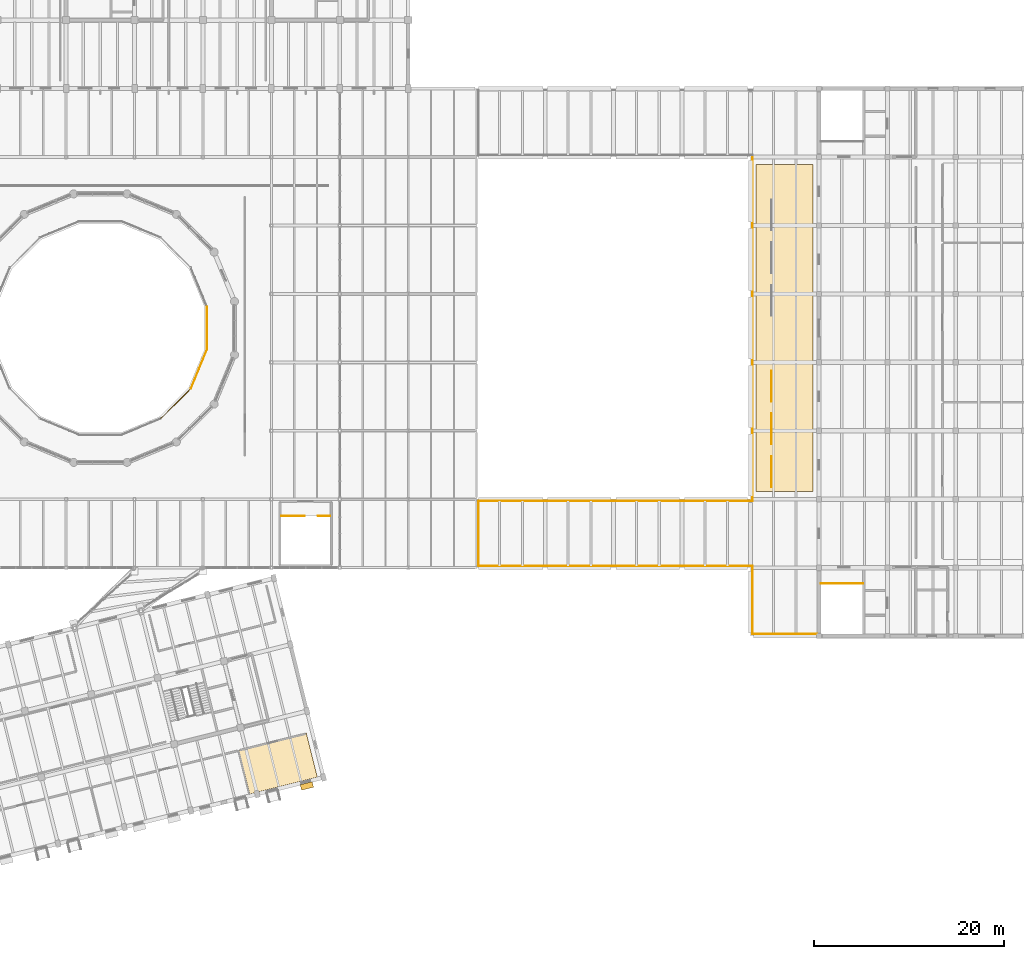
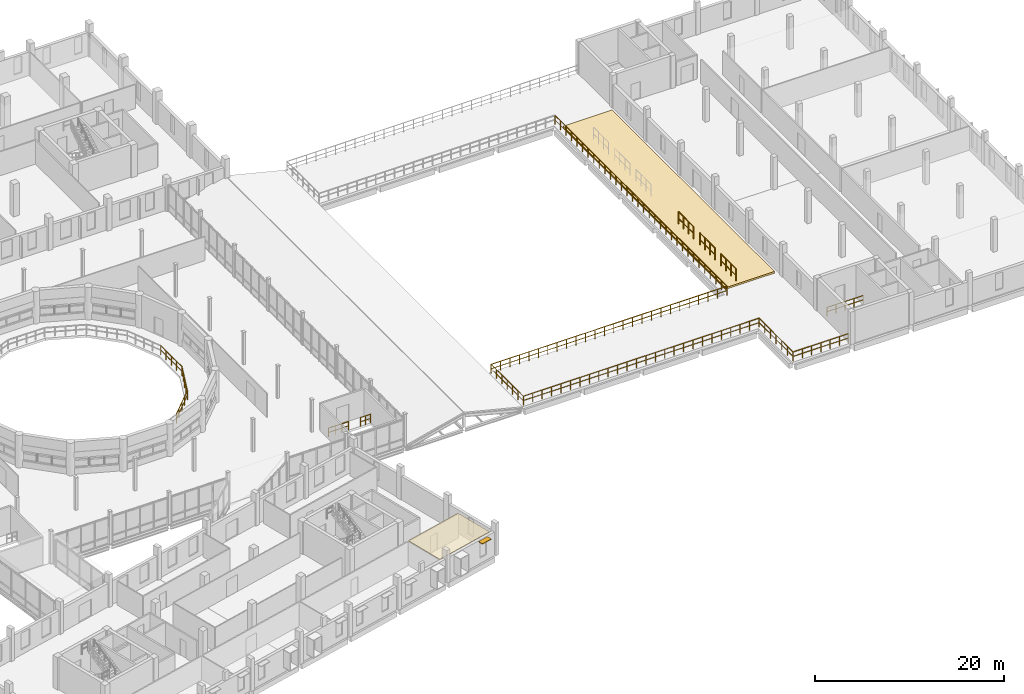
# One storey, part 60 of 63: 15 railings, 2 coverings, 1 shading device.
"""IFC4 building model written with IfcOpenShell, lengths in metres."""

from ifc_helpers import new_model, si_unit, direction, frame, origin, origin_2d, place, context, subcontext, project, spatial, polyline, rectangle, circle, outline, extrude, material, layer, layer_set, material_profile, profile_set, type_object, element, save


model = new_model("IFC4")

# Units and contexts
model_context = context("Model", 3, precision=1e-05, world=origin(), true_north=direction((0.0, 1.0)))
body_context = subcontext(model_context, "Body", "Model", "MODEL_VIEW")
ifc_project = project(units=[si_unit("LENGTHUNIT", "METRE"), si_unit("AREAUNIT", "SQUARE_METRE"), si_unit("VOLUMEUNIT", "CUBIC_METRE"), si_unit("PLANEANGLEUNIT", "RADIAN"), si_unit("MASSUNIT", "GRAM", prefix="KILO")], contexts=[model_context])

# Site, building, storey
site_placement = place(None, origin())
site = spatial("IfcSite", under=ifc_project, at=site_placement, CompositionType="ELEMENT")
building_placement = place(site_placement, origin())
building = spatial("IfcBuilding", under=site, at=building_placement, Name="Qiaolan Assembly House", CompositionType="ELEMENT")
storey_placement = place(building_placement, frame((0.0, 0.0, 14.39990234375)))
storey = spatial("IfcBuildingStorey", under=building, at=storey_placement, Name="L03", CompositionType="ELEMENT", Elevation=14.39990234375)

# Coverings
ifc_material_1 = material(Name="Gypsum plasterboard acoustic ceiling")
ifc_layer_1 = layer(ifc_material_1, 0.044921875)
ifc_layer_set_1 = layer_set([ifc_layer_1], Name="Gypsum plasterboard acoustic ceiling")
covering_type_1 = type_object("IfcCoveringType", Name="COV-CEIL-ACOUSTIC", PredefinedType="CEILING", material=ifc_layer_set_1)
covering_1_placement = place(storey_placement, frame((0.0, 0.0, 3.03515625)))
element("IfcCovering", 1, at=covering_1_placement, inside=storey, type_object=covering_type_1, Name="Suspended ceiling Departmental Server & Comms Closet", PredefinedType="CEILING", context=body_context, shape_type="SweptSolid", body=[
    extrude(outline(polyline([(84.121826171875, 12.18359375), (91.224609375, 13.95458984375), (90.068115234375, 18.592529296875), (82.965576171875, 16.82177734375), (84.121826171875, 12.18359375)])), origin(), (0.0, 0.0, 1.0), 0.044921875),
])
ifc_material_2 = material(Name="Planted green roof medium")
ifc_layer_2 = layer(ifc_material_2, 0.219970703125)
ifc_layer_set_2 = layer_set([ifc_layer_2], Name="Planted green roof medium")
covering_type_2 = type_object("IfcCoveringType", Name="COV-ROOF-GREENBED", PredefinedType="ROOFING", material=ifc_layer_set_2)
covering_2_placement = place(storey_placement, origin())
element("IfcCovering", 2, at=covering_2_placement, inside=storey, type_object=covering_type_2, Name="GRF-01 East Cloister Planted Roof Garden Bed", PredefinedType="ROOFING", context=body_context, shape_type="SweptSolid", body=[
    extrude(outline(polyline([(137.39990234375, 44.0), (143.39990234375, 44.0), (143.39990234375, 78.39990234375), (137.39990234375, 78.39990234375), (137.39990234375, 44.0)])), origin(), (0.0, 0.0, 1.0), 0.22021484375),
])

# Railings
ifc_material_3 = material(Name="Anodised bronze aluminium", Category="aluminium")
railing_type_1 = type_object("IfcRailingType", Name="RAL-GUARD-GALLERY-1200", PredefinedType="BALUSTRADE", material=ifc_material_3)
railing_1_placement = place(storey_placement, frame((74.76123046875, 51.6796875, 0.0)))
element("IfcRailing", 3, at=railing_1_placement, inside=storey, type_object=railing_type_1, Name="GR-02 Council Chamber L03 Clerestory Ring Guard seg 14", PredefinedType="BALUSTRADE", context=body_context, shape_type="SweptSolid", body=[
    extrude(circle(Radius=0.02392578125, at=origin_2d()), frame((0.0, 0.0, 1.17578125), z_axis=(0.707134104233, 0.707079457084, 0.0), x_axis=(-0.707079457084, 0.707134104233, 0.0)), (0.0, 0.0, 1.0), 4.467529296875),
    extrude(circle(Radius=0.01611328125, at=origin_2d()), frame((0.0, 0.0, 0.60009765625), z_axis=(0.707134104233, 0.707079457084, 0.0), x_axis=(-0.707079457084, 0.707134104233, 0.0)), (0.0, 0.0, 1.0), 4.467529296875),
    extrude(circle(Radius=0.02099609375, at=origin_2d()), origin(), (0.0, 0.0, 1.0), 1.15185546875),
    extrude(circle(Radius=0.02099609375, at=origin_2d()), frame((0.789794921875, 0.789794921875, 0.0)), (0.0, 0.0, 1.0), 1.15185546875),
    extrude(circle(Radius=0.02099609375, at=origin_2d()), frame((1.57958984375, 1.57958984375, 0.0)), (0.0, 0.0, 1.0), 1.15185546875),
    extrude(circle(Radius=0.02099609375, at=origin_2d()), frame((2.369384765625, 2.369140625, 0.0)), (0.0, 0.0, 1.0), 1.15185546875),
    extrude(circle(Radius=0.02099609375, at=origin_2d()), frame((3.1591796875, 3.158935546875, 0.0)), (0.0, 0.0, 1.0), 1.15185546875),
])
railing_2_placement = place(storey_placement, frame((77.92041015625, 54.838623046875, 0.0)))
element("IfcRailing", 4, at=railing_2_placement, inside=storey, type_object=railing_type_1, Name="GR-02 Council Chamber L03 Clerestory Ring Guard seg 15", PredefinedType="BALUSTRADE", context=body_context, shape_type="SweptSolid", body=[
    extrude(circle(Radius=0.02392578125, at=origin_2d()), frame((0.0, 0.0, 1.17578125), z_axis=(0.38263171835, 0.923900951462, 0.0), x_axis=(-0.923900951462, 0.38263171835, 0.0)), (0.0, 0.0, 1.0), 4.4677734375),
    extrude(circle(Radius=0.01611328125, at=origin_2d()), frame((0.0, 0.0, 0.60009765625), z_axis=(0.38263171835, 0.923900951462, 0.0), x_axis=(-0.923900951462, 0.38263171835, 0.0)), (0.0, 0.0, 1.0), 4.4677734375),
    extrude(circle(Radius=0.02099609375, at=origin_2d()), origin(), (0.0, 0.0, 1.0), 1.15185546875),
    extrude(circle(Radius=0.02099609375, at=origin_2d()), frame((0.42724609375, 1.031982421875, 0.0)), (0.0, 0.0, 1.0), 1.15185546875),
    extrude(circle(Radius=0.02099609375, at=origin_2d()), frame((0.854736328125, 2.06396484375, 0.0)), (0.0, 0.0, 1.0), 1.15185546875),
    extrude(circle(Radius=0.02099609375, at=origin_2d()), frame((1.2822265625, 3.095703125, 0.0)), (0.0, 0.0, 1.0), 1.15185546875),
    extrude(circle(Radius=0.02099609375, at=origin_2d()), frame((1.70947265625, 4.127685546875, 0.0)), (0.0, 0.0, 1.0), 1.15185546875),
])
railing_3_placement = place(storey_placement, frame((79.6298828125, 58.96630859375, 0.0)))
element("IfcRailing", 5, at=railing_3_placement, inside=storey, type_object=railing_type_1, Name="GR-02 Council Chamber L03 Clerestory Ring Guard seg 16", PredefinedType="BALUSTRADE", context=body_context, shape_type="SweptSolid", body=[
    extrude(circle(Radius=0.02392578125, at=origin_2d()), frame((0.0, 0.0, 1.17578125), z_axis=(0.0, 1.0, 0.0), x_axis=(-1.0, 0.0, 0.0)), (0.0, 0.0, 1.0), 4.467529296875),
    extrude(circle(Radius=0.01611328125, at=origin_2d()), frame((0.0, 0.0, 0.60009765625), z_axis=(0.0, 1.0, 0.0), x_axis=(-1.0, 0.0, 0.0)), (0.0, 0.0, 1.0), 4.467529296875),
    extrude(circle(Radius=0.02099609375, at=origin_2d()), origin(), (0.0, 0.0, 1.0), 1.15185546875),
    extrude(circle(Radius=0.02099609375, at=origin_2d()), frame((0.0, 1.116943359375, 0.0)), (0.0, 0.0, 1.0), 1.15185546875),
    extrude(circle(Radius=0.02099609375, at=origin_2d()), frame((0.0, 2.23388671875, 0.0)), (0.0, 0.0, 1.0), 1.15185546875),
    extrude(circle(Radius=0.02099609375, at=origin_2d()), frame((0.0, 3.3505859375, 0.0)), (0.0, 0.0, 1.0), 1.15185546875),
    extrude(circle(Radius=0.02099609375, at=origin_2d()), frame((0.0, 4.467529296875, 0.0)), (0.0, 0.0, 1.0), 1.15185546875),
])
railing_type_2 = type_object("IfcRailingType", Name="RAL-GUARD-STAIRWELL-1150", PredefinedType="GUARDRAIL", material=ifc_material_3)
railing_4_placement = place(storey_placement, frame((144.219970703125, 34.35009765625, 0.0)))
element("IfcRailing", 6, at=railing_4_placement, inside=storey, type_object=railing_type_2, Name="GR-01 top stairwell guard CORE-E L03", PredefinedType="GUARDRAIL", context=body_context, shape_type="SweptSolid", body=[
    extrude(circle(Radius=0.02392578125, at=origin_2d()), frame((0.0, 0.0, 1.1259765625), z_axis=(1.0, 0.0, 0.0), x_axis=(0.0, 1.0, 0.0)), (0.0, 0.0, 1.0), 4.43994140625),
    extrude(circle(Radius=0.01611328125, at=origin_2d()), frame((0.0, 0.0, 0.574951171875), z_axis=(1.0, 0.0, 0.0), x_axis=(0.0, 1.0, 0.0)), (0.0, 0.0, 1.0), 4.43994140625),
    extrude(circle(Radius=0.02099609375, at=origin_2d()), origin(), (0.0, 0.0, 1.0), 1.101806640625),
    extrude(circle(Radius=0.02099609375, at=origin_2d()), frame((1.10986328125, 0.0, 0.0)), (0.0, 0.0, 1.0), 1.101806640625),
    extrude(circle(Radius=0.02099609375, at=origin_2d()), frame((2.219970703125, 0.0, 0.0)), (0.0, 0.0, 1.0), 1.101806640625),
    extrude(circle(Radius=0.02099609375, at=origin_2d()), frame((3.330078125, 0.0, 0.0)), (0.0, 0.0, 1.0), 1.101806640625),
    extrude(circle(Radius=0.02099609375, at=origin_2d()), frame((4.43994140625, 0.0, 0.0)), (0.0, 0.0, 1.0), 1.101806640625),
])
railing_5_placement = place(storey_placement, frame((87.43994140625, 41.449951171875, 0.0)))
element("IfcRailing", 7, at=railing_5_placement, inside=storey, type_object=railing_type_2, Name="GR-01 foyer L03 well guard ST-F22", PredefinedType="GUARDRAIL", context=body_context, shape_type="SweptSolid", body=[
    extrude(circle(Radius=0.02392578125, at=origin_2d()), frame((0.0, 0.0, 1.1259765625), z_axis=(1.0, 0.0, 0.0), x_axis=(0.0, 1.0, 0.0)), (0.0, 0.0, 1.0), 2.43994140625),
    extrude(circle(Radius=0.01611328125, at=origin_2d()), frame((0.0, 0.0, 0.574951171875), z_axis=(1.0, 0.0, 0.0), x_axis=(0.0, 1.0, 0.0)), (0.0, 0.0, 1.0), 2.43994140625),
    extrude(circle(Radius=0.02099609375, at=origin_2d()), origin(), (0.0, 0.0, 1.0), 1.101806640625),
    extrude(circle(Radius=0.02099609375, at=origin_2d()), frame((0.813232421875, 0.0, 0.0)), (0.0, 0.0, 1.0), 1.101806640625),
    extrude(circle(Radius=0.02099609375, at=origin_2d()), frame((1.626708984375, 0.0, 0.0)), (0.0, 0.0, 1.0), 1.101806640625),
    extrude(circle(Radius=0.02099609375, at=origin_2d()), frame((2.43994140625, 0.0, 0.0)), (0.0, 0.0, 1.0), 1.101806640625),
])
railing_6_placement = place(storey_placement, frame((91.320068359375, 41.449951171875, 0.0)))
element("IfcRailing", 8, at=railing_6_placement, inside=storey, type_object=railing_type_2, Name="GR-01 foyer L03 east top-well guard ST-F22", PredefinedType="GUARDRAIL", context=body_context, shape_type="SweptSolid", body=[
    extrude(circle(Radius=0.02392578125, at=origin_2d()), frame((0.0, 0.0, 1.1259765625), z_axis=(1.0, 0.0, 0.0), x_axis=(0.0, 1.0, 0.0)), (0.0, 0.0, 1.0), 1.260009765625),
    extrude(circle(Radius=0.01611328125, at=origin_2d()), frame((0.0, 0.0, 0.574951171875), z_axis=(1.0, 0.0, 0.0), x_axis=(0.0, 1.0, 0.0)), (0.0, 0.0, 1.0), 1.260009765625),
    extrude(circle(Radius=0.02099609375, at=origin_2d()), origin(), (0.0, 0.0, 1.0), 1.101806640625),
    extrude(circle(Radius=0.02099609375, at=origin_2d()), frame((0.6298828125, 0.0, 0.0)), (0.0, 0.0, 1.0), 1.101806640625),
    extrude(circle(Radius=0.02099609375, at=origin_2d()), frame((1.260009765625, 0.0, 0.0)), (0.0, 0.0, 1.0), 1.101806640625),
])
railing_type_3 = type_object("IfcRailingType", Name="RAL-GUARD-TERRACE-1180", PredefinedType="GUARDRAIL", material=ifc_material_3)
railing_7_placement = place(storey_placement, frame((143.800048828125, 29.0, 0.0)))
element("IfcRailing", 9, at=railing_7_placement, inside=storey, type_object=railing_type_3, Name="GR-03 L03 East Cloister Roof Garden Perimeter Guard seg 1", PredefinedType="GUARDRAIL", context=body_context, shape_type="SweptSolid", body=[
    extrude(circle(Radius=0.02392578125, at=origin_2d()), frame((0.0, 0.0, 1.15576171875), z_axis=(-1.0, 0.0, 0.0), x_axis=(0.0, -1.0, 0.0)), (0.0, 0.0, 1.0), 6.800048828125),
    extrude(circle(Radius=0.01611328125, at=origin_2d()), frame((0.0, 0.0, 0.58984375), z_axis=(-1.0, 0.0, 0.0), x_axis=(0.0, -1.0, 0.0)), (0.0, 0.0, 1.0), 6.800048828125),
    extrude(circle(Radius=0.02099609375, at=origin_2d()), origin(), (0.0, 0.0, 1.0), 1.1318359375),
    extrude(circle(Radius=0.02099609375, at=origin_2d()), frame((-1.13330078125, 0.0, 0.0)), (0.0, 0.0, 1.0), 1.1318359375),
    extrude(circle(Radius=0.02099609375, at=origin_2d()), frame((-2.2666015625, 0.0, 0.0)), (0.0, 0.0, 1.0), 1.1318359375),
    extrude(circle(Radius=0.02099609375, at=origin_2d()), frame((-3.39990234375, 0.0, 0.0)), (0.0, 0.0, 1.0), 1.1318359375),
    extrude(circle(Radius=0.02099609375, at=origin_2d()), frame((-4.533447265625, 0.0, 0.0)), (0.0, 0.0, 1.0), 1.1318359375),
    extrude(circle(Radius=0.02099609375, at=origin_2d()), frame((-5.666748046875, 0.0, 0.0)), (0.0, 0.0, 1.0), 1.1318359375),
    extrude(circle(Radius=0.02099609375, at=origin_2d()), frame((-6.800048828125, 0.0, 0.0)), (0.0, 0.0, 1.0), 1.1318359375),
])
railing_8_placement = place(storey_placement, frame((137.0, 29.0, 0.0)))
element("IfcRailing", 10, at=railing_8_placement, inside=storey, type_object=railing_type_3, Name="GR-03 L03 East Cloister Roof Garden Perimeter Guard seg 2", PredefinedType="GUARDRAIL", context=body_context, shape_type="SweptSolid", body=[
    extrude(circle(Radius=0.02392578125, at=origin_2d()), frame((0.0, 0.0, 1.15576171875), z_axis=(0.0, 1.0, 0.0), x_axis=(-1.0, 0.0, 0.0)), (0.0, 0.0, 1.0), 7.199951171875),
    extrude(circle(Radius=0.01611328125, at=origin_2d()), frame((0.0, 0.0, 0.58984375), z_axis=(0.0, 1.0, 0.0), x_axis=(-1.0, 0.0, 0.0)), (0.0, 0.0, 1.0), 7.199951171875),
    extrude(circle(Radius=0.02099609375, at=origin_2d()), origin(), (0.0, 0.0, 1.0), 1.1318359375),
    extrude(circle(Radius=0.02099609375, at=origin_2d()), frame((0.0, 1.199951171875, 0.0)), (0.0, 0.0, 1.0), 1.1318359375),
    extrude(circle(Radius=0.02099609375, at=origin_2d()), frame((0.0, 2.39990234375, 0.0)), (0.0, 0.0, 1.0), 1.1318359375),
    extrude(circle(Radius=0.02099609375, at=origin_2d()), frame((0.0, 3.60009765625, 0.0)), (0.0, 0.0, 1.0), 1.1318359375),
    extrude(circle(Radius=0.02099609375, at=origin_2d()), frame((0.0, 4.800048828125, 0.0)), (0.0, 0.0, 1.0), 1.1318359375),
    extrude(circle(Radius=0.02099609375, at=origin_2d()), frame((0.0, 6.0, 0.0)), (0.0, 0.0, 1.0), 1.1318359375),
    extrude(circle(Radius=0.02099609375, at=origin_2d()), frame((0.0, 7.199951171875, 0.0)), (0.0, 0.0, 1.0), 1.1318359375),
])
railing_9_placement = place(storey_placement, frame((137.0, 36.199951171875, 0.0)))
element("IfcRailing", 11, at=railing_9_placement, inside=storey, type_object=railing_type_3, Name="GR-03 L03 East Cloister Roof Garden Perimeter Guard seg 3", PredefinedType="GUARDRAIL", context=body_context, shape_type="SweptSolid", body=[
    extrude(circle(Radius=0.02392578125, at=origin_2d()), frame((0.0, 0.0, 1.15576171875), z_axis=(-1.0, 0.0, 0.0), x_axis=(0.0, -1.0, 0.0)), (0.0, 0.0, 1.0), 28.800048828125),
    extrude(circle(Radius=0.01611328125, at=origin_2d()), frame((0.0, 0.0, 0.58984375), z_axis=(-1.0, 0.0, 0.0), x_axis=(0.0, -1.0, 0.0)), (0.0, 0.0, 1.0), 28.800048828125),
    extrude(circle(Radius=0.02099609375, at=origin_2d()), origin(), (0.0, 0.0, 1.0), 1.1318359375),
    extrude(circle(Radius=0.02099609375, at=origin_2d()), frame((-1.152099609375, 0.0, 0.0)), (0.0, 0.0, 1.0), 1.1318359375),
    extrude(circle(Radius=0.02099609375, at=origin_2d()), frame((-2.303955078125, 0.0, 0.0)), (0.0, 0.0, 1.0), 1.1318359375),
    extrude(circle(Radius=0.02099609375, at=origin_2d()), frame((-3.4560546875, 0.0, 0.0)), (0.0, 0.0, 1.0), 1.1318359375),
    extrude(circle(Radius=0.02099609375, at=origin_2d()), frame((-4.60791015625, 0.0, 0.0)), (0.0, 0.0, 1.0), 1.1318359375),
    extrude(circle(Radius=0.02099609375, at=origin_2d()), frame((-5.760009765625, 0.0, 0.0)), (0.0, 0.0, 1.0), 1.1318359375),
    extrude(circle(Radius=0.02099609375, at=origin_2d()), frame((-6.912109375, 0.0, 0.0)), (0.0, 0.0, 1.0), 1.1318359375),
    extrude(circle(Radius=0.02099609375, at=origin_2d()), frame((-8.06396484375, 0.0, 0.0)), (0.0, 0.0, 1.0), 1.1318359375),
    extrude(circle(Radius=0.02099609375, at=origin_2d()), frame((-9.216064453125, 0.0, 0.0)), (0.0, 0.0, 1.0), 1.1318359375),
    extrude(circle(Radius=0.02099609375, at=origin_2d()), frame((-10.367919921875, 0.0, 0.0)), (0.0, 0.0, 1.0), 1.1318359375),
    extrude(circle(Radius=0.02099609375, at=origin_2d()), frame((-11.52001953125, 0.0, 0.0)), (0.0, 0.0, 1.0), 1.1318359375),
    extrude(circle(Radius=0.02099609375, at=origin_2d()), frame((-12.672119140625, 0.0, 0.0)), (0.0, 0.0, 1.0), 1.1318359375),
    extrude(circle(Radius=0.02099609375, at=origin_2d()), frame((-13.823974609375, 0.0, 0.0)), (0.0, 0.0, 1.0), 1.1318359375),
    extrude(circle(Radius=0.02099609375, at=origin_2d()), frame((-14.97607421875, 0.0, 0.0)), (0.0, 0.0, 1.0), 1.1318359375),
    extrude(circle(Radius=0.02099609375, at=origin_2d()), frame((-16.1279296875, 0.0, 0.0)), (0.0, 0.0, 1.0), 1.1318359375),
    extrude(circle(Radius=0.02099609375, at=origin_2d()), frame((-17.280029296875, 0.0, 0.0)), (0.0, 0.0, 1.0), 1.1318359375),
    extrude(circle(Radius=0.02099609375, at=origin_2d()), frame((-18.43212890625, 0.0, 0.0)), (0.0, 0.0, 1.0), 1.1318359375),
    extrude(circle(Radius=0.02099609375, at=origin_2d()), frame((-19.583984375, 0.0, 0.0)), (0.0, 0.0, 1.0), 1.1318359375),
    extrude(circle(Radius=0.02099609375, at=origin_2d()), frame((-20.736083984375, 0.0, 0.0)), (0.0, 0.0, 1.0), 1.1318359375),
    extrude(circle(Radius=0.02099609375, at=origin_2d()), frame((-21.887939453125, 0.0, 0.0)), (0.0, 0.0, 1.0), 1.1318359375),
    extrude(circle(Radius=0.02099609375, at=origin_2d()), frame((-23.0400390625, 0.0, 0.0)), (0.0, 0.0, 1.0), 1.1318359375),
    extrude(circle(Radius=0.02099609375, at=origin_2d()), frame((-24.192138671875, 0.0, 0.0)), (0.0, 0.0, 1.0), 1.1318359375),
    extrude(circle(Radius=0.02099609375, at=origin_2d()), frame((-25.343994140625, 0.0, 0.0)), (0.0, 0.0, 1.0), 1.1318359375),
    extrude(circle(Radius=0.02099609375, at=origin_2d()), frame((-26.49609375, 0.0, 0.0)), (0.0, 0.0, 1.0), 1.1318359375),
    extrude(circle(Radius=0.02099609375, at=origin_2d()), frame((-27.64794921875, 0.0, 0.0)), (0.0, 0.0, 1.0), 1.1318359375),
    extrude(circle(Radius=0.02099609375, at=origin_2d()), frame((-28.800048828125, 0.0, 0.0)), (0.0, 0.0, 1.0), 1.1318359375),
])
railing_10_placement = place(storey_placement, frame((108.199951171875, 36.199951171875, 0.0)))
element("IfcRailing", 12, at=railing_10_placement, inside=storey, type_object=railing_type_3, Name="GR-03 L03 East Cloister Roof Garden Perimeter Guard seg 4", PredefinedType="GUARDRAIL", context=body_context, shape_type="SweptSolid", body=[
    extrude(circle(Radius=0.02392578125, at=origin_2d()), frame((0.0, 0.0, 1.15576171875), z_axis=(0.0, 1.0, 0.0), x_axis=(-1.0, 0.0, 0.0)), (0.0, 0.0, 1.0), 6.800048828125),
    extrude(circle(Radius=0.01611328125, at=origin_2d()), frame((0.0, 0.0, 0.58984375), z_axis=(0.0, 1.0, 0.0), x_axis=(-1.0, 0.0, 0.0)), (0.0, 0.0, 1.0), 6.800048828125),
    extrude(circle(Radius=0.02099609375, at=origin_2d()), origin(), (0.0, 0.0, 1.0), 1.1318359375),
    extrude(circle(Radius=0.02099609375, at=origin_2d()), frame((0.0, 1.13330078125, 0.0)), (0.0, 0.0, 1.0), 1.1318359375),
    extrude(circle(Radius=0.02099609375, at=origin_2d()), frame((0.0, 2.2666015625, 0.0)), (0.0, 0.0, 1.0), 1.1318359375),
    extrude(circle(Radius=0.02099609375, at=origin_2d()), frame((0.0, 3.39990234375, 0.0)), (0.0, 0.0, 1.0), 1.1318359375),
    extrude(circle(Radius=0.02099609375, at=origin_2d()), frame((0.0, 4.533447265625, 0.0)), (0.0, 0.0, 1.0), 1.1318359375),
    extrude(circle(Radius=0.02099609375, at=origin_2d()), frame((0.0, 5.666748046875, 0.0)), (0.0, 0.0, 1.0), 1.1318359375),
    extrude(circle(Radius=0.02099609375, at=origin_2d()), frame((0.0, 6.800048828125, 0.0)), (0.0, 0.0, 1.0), 1.1318359375),
])
railing_11_placement = place(storey_placement, frame((108.199951171875, 43.0, 0.0)))
element("IfcRailing", 13, at=railing_11_placement, inside=storey, type_object=railing_type_3, Name="GR-03 L03 East Cloister Roof Garden Perimeter Guard seg 5", PredefinedType="GUARDRAIL", context=body_context, shape_type="SweptSolid", body=[
    extrude(circle(Radius=0.02392578125, at=origin_2d()), frame((0.0, 0.0, 1.15576171875), z_axis=(1.0, 0.0, 0.0), x_axis=(0.0, 1.0, 0.0)), (0.0, 0.0, 1.0), 28.800048828125),
    extrude(circle(Radius=0.01611328125, at=origin_2d()), frame((0.0, 0.0, 0.58984375), z_axis=(1.0, 0.0, 0.0), x_axis=(0.0, 1.0, 0.0)), (0.0, 0.0, 1.0), 28.800048828125),
    extrude(circle(Radius=0.02099609375, at=origin_2d()), origin(), (0.0, 0.0, 1.0), 1.1318359375),
    extrude(circle(Radius=0.02099609375, at=origin_2d()), frame((1.152099609375, 0.0, 0.0)), (0.0, 0.0, 1.0), 1.1318359375),
    extrude(circle(Radius=0.02099609375, at=origin_2d()), frame((2.303955078125, 0.0, 0.0)), (0.0, 0.0, 1.0), 1.1318359375),
    extrude(circle(Radius=0.02099609375, at=origin_2d()), frame((3.4560546875, 0.0, 0.0)), (0.0, 0.0, 1.0), 1.1318359375),
    extrude(circle(Radius=0.02099609375, at=origin_2d()), frame((4.60791015625, 0.0, 0.0)), (0.0, 0.0, 1.0), 1.1318359375),
    extrude(circle(Radius=0.02099609375, at=origin_2d()), frame((5.760009765625, 0.0, 0.0)), (0.0, 0.0, 1.0), 1.1318359375),
    extrude(circle(Radius=0.02099609375, at=origin_2d()), frame((6.912109375, 0.0, 0.0)), (0.0, 0.0, 1.0), 1.1318359375),
    extrude(circle(Radius=0.02099609375, at=origin_2d()), frame((8.06396484375, 0.0, 0.0)), (0.0, 0.0, 1.0), 1.1318359375),
    extrude(circle(Radius=0.02099609375, at=origin_2d()), frame((9.216064453125, 0.0, 0.0)), (0.0, 0.0, 1.0), 1.1318359375),
    extrude(circle(Radius=0.02099609375, at=origin_2d()), frame((10.367919921875, 0.0, 0.0)), (0.0, 0.0, 1.0), 1.1318359375),
    extrude(circle(Radius=0.02099609375, at=origin_2d()), frame((11.52001953125, 0.0, 0.0)), (0.0, 0.0, 1.0), 1.1318359375),
    extrude(circle(Radius=0.02099609375, at=origin_2d()), frame((12.672119140625, 0.0, 0.0)), (0.0, 0.0, 1.0), 1.1318359375),
    extrude(circle(Radius=0.02099609375, at=origin_2d()), frame((13.823974609375, 0.0, 0.0)), (0.0, 0.0, 1.0), 1.1318359375),
    extrude(circle(Radius=0.02099609375, at=origin_2d()), frame((14.97607421875, 0.0, 0.0)), (0.0, 0.0, 1.0), 1.1318359375),
    extrude(circle(Radius=0.02099609375, at=origin_2d()), frame((16.1279296875, 0.0, 0.0)), (0.0, 0.0, 1.0), 1.1318359375),
    extrude(circle(Radius=0.02099609375, at=origin_2d()), frame((17.280029296875, 0.0, 0.0)), (0.0, 0.0, 1.0), 1.1318359375),
    extrude(circle(Radius=0.02099609375, at=origin_2d()), frame((18.43212890625, 0.0, 0.0)), (0.0, 0.0, 1.0), 1.1318359375),
    extrude(circle(Radius=0.02099609375, at=origin_2d()), frame((19.583984375, 0.0, 0.0)), (0.0, 0.0, 1.0), 1.1318359375),
    extrude(circle(Radius=0.02099609375, at=origin_2d()), frame((20.736083984375, 0.0, 0.0)), (0.0, 0.0, 1.0), 1.1318359375),
    extrude(circle(Radius=0.02099609375, at=origin_2d()), frame((21.887939453125, 0.0, 0.0)), (0.0, 0.0, 1.0), 1.1318359375),
    extrude(circle(Radius=0.02099609375, at=origin_2d()), frame((23.0400390625, 0.0, 0.0)), (0.0, 0.0, 1.0), 1.1318359375),
    extrude(circle(Radius=0.02099609375, at=origin_2d()), frame((24.192138671875, 0.0, 0.0)), (0.0, 0.0, 1.0), 1.1318359375),
    extrude(circle(Radius=0.02099609375, at=origin_2d()), frame((25.343994140625, 0.0, 0.0)), (0.0, 0.0, 1.0), 1.1318359375),
    extrude(circle(Radius=0.02099609375, at=origin_2d()), frame((26.49609375, 0.0, 0.0)), (0.0, 0.0, 1.0), 1.1318359375),
    extrude(circle(Radius=0.02099609375, at=origin_2d()), frame((27.64794921875, 0.0, 0.0)), (0.0, 0.0, 1.0), 1.1318359375),
    extrude(circle(Radius=0.02099609375, at=origin_2d()), frame((28.800048828125, 0.0, 0.0)), (0.0, 0.0, 1.0), 1.1318359375),
])
railing_12_placement = place(storey_placement, frame((137.0, 43.0, 0.0)))
element("IfcRailing", 14, at=railing_12_placement, inside=storey, type_object=railing_type_3, Name="GR-03 L03 East Cloister Roof Garden Perimeter Guard seg 6", PredefinedType="GUARDRAIL", context=body_context, shape_type="SweptSolid", body=[
    extrude(circle(Radius=0.02392578125, at=origin_2d()), frame((0.0, 0.0, 1.15576171875), z_axis=(0.0, 1.0, 0.0), x_axis=(-1.0, 0.0, 0.0)), (0.0, 0.0, 1.0), 36.39990234375),
    extrude(circle(Radius=0.01611328125, at=origin_2d()), frame((0.0, 0.0, 0.58984375), z_axis=(0.0, 1.0, 0.0), x_axis=(-1.0, 0.0, 0.0)), (0.0, 0.0, 1.0), 36.39990234375),
    extrude(circle(Radius=0.02099609375, at=origin_2d()), origin(), (0.0, 0.0, 1.0), 1.1318359375),
    extrude(circle(Radius=0.02099609375, at=origin_2d()), frame((0.0, 1.174072265625, 0.0)), (0.0, 0.0, 1.0), 1.1318359375),
    extrude(circle(Radius=0.02099609375, at=origin_2d()), frame((0.0, 2.348388671875, 0.0)), (0.0, 0.0, 1.0), 1.1318359375),
    extrude(circle(Radius=0.02099609375, at=origin_2d()), frame((0.0, 3.5224609375, 0.0)), (0.0, 0.0, 1.0), 1.1318359375),
    extrude(circle(Radius=0.02099609375, at=origin_2d()), frame((0.0, 4.69677734375, 0.0)), (0.0, 0.0, 1.0), 1.1318359375),
    extrude(circle(Radius=0.02099609375, at=origin_2d()), frame((0.0, 5.870849609375, 0.0)), (0.0, 0.0, 1.0), 1.1318359375),
    extrude(circle(Radius=0.02099609375, at=origin_2d()), frame((0.0, 7.045166015625, 0.0)), (0.0, 0.0, 1.0), 1.1318359375),
    extrude(circle(Radius=0.02099609375, at=origin_2d()), frame((0.0, 8.21923828125, 0.0)), (0.0, 0.0, 1.0), 1.1318359375),
    extrude(circle(Radius=0.02099609375, at=origin_2d()), frame((0.0, 9.3935546875, 0.0)), (0.0, 0.0, 1.0), 1.1318359375),
    extrude(circle(Radius=0.02099609375, at=origin_2d()), frame((0.0, 10.567626953125, 0.0)), (0.0, 0.0, 1.0), 1.1318359375),
    extrude(circle(Radius=0.02099609375, at=origin_2d()), frame((0.0, 11.741943359375, 0.0)), (0.0, 0.0, 1.0), 1.1318359375),
    extrude(circle(Radius=0.02099609375, at=origin_2d()), frame((0.0, 12.916015625, 0.0)), (0.0, 0.0, 1.0), 1.1318359375),
    extrude(circle(Radius=0.02099609375, at=origin_2d()), frame((0.0, 14.09033203125, 0.0)), (0.0, 0.0, 1.0), 1.1318359375),
    extrude(circle(Radius=0.02099609375, at=origin_2d()), frame((0.0, 15.264404296875, 0.0)), (0.0, 0.0, 1.0), 1.1318359375),
    extrude(circle(Radius=0.02099609375, at=origin_2d()), frame((0.0, 16.438720703125, 0.0)), (0.0, 0.0, 1.0), 1.1318359375),
    extrude(circle(Radius=0.02099609375, at=origin_2d()), frame((0.0, 17.61279296875, 0.0)), (0.0, 0.0, 1.0), 1.1318359375),
    extrude(circle(Radius=0.02099609375, at=origin_2d()), frame((0.0, 18.787109375, 0.0)), (0.0, 0.0, 1.0), 1.1318359375),
    extrude(circle(Radius=0.02099609375, at=origin_2d()), frame((0.0, 19.961181640625, 0.0)), (0.0, 0.0, 1.0), 1.1318359375),
    extrude(circle(Radius=0.02099609375, at=origin_2d()), frame((0.0, 21.135498046875, 0.0)), (0.0, 0.0, 1.0), 1.1318359375),
    extrude(circle(Radius=0.02099609375, at=origin_2d()), frame((0.0, 22.3095703125, 0.0)), (0.0, 0.0, 1.0), 1.1318359375),
    extrude(circle(Radius=0.02099609375, at=origin_2d()), frame((0.0, 23.48388671875, 0.0)), (0.0, 0.0, 1.0), 1.1318359375),
    extrude(circle(Radius=0.02099609375, at=origin_2d()), frame((0.0, 24.657958984375, 0.0)), (0.0, 0.0, 1.0), 1.1318359375),
    extrude(circle(Radius=0.02099609375, at=origin_2d()), frame((0.0, 25.832275390625, 0.0)), (0.0, 0.0, 1.0), 1.1318359375),
    extrude(circle(Radius=0.02099609375, at=origin_2d()), frame((0.0, 27.00634765625, 0.0)), (0.0, 0.0, 1.0), 1.1318359375),
    extrude(circle(Radius=0.02099609375, at=origin_2d()), frame((0.0, 28.1806640625, 0.0)), (0.0, 0.0, 1.0), 1.1318359375),
    extrude(circle(Radius=0.02099609375, at=origin_2d()), frame((0.0, 29.354736328125, 0.0)), (0.0, 0.0, 1.0), 1.1318359375),
    extrude(circle(Radius=0.02099609375, at=origin_2d()), frame((0.0, 30.529052734375, 0.0)), (0.0, 0.0, 1.0), 1.1318359375),
    extrude(circle(Radius=0.02099609375, at=origin_2d()), frame((0.0, 31.703125, 0.0)), (0.0, 0.0, 1.0), 1.1318359375),
    extrude(circle(Radius=0.02099609375, at=origin_2d()), frame((0.0, 32.87744140625, 0.0)), (0.0, 0.0, 1.0), 1.1318359375),
    extrude(circle(Radius=0.02099609375, at=origin_2d()), frame((0.0, 34.051513671875, 0.0)), (0.0, 0.0, 1.0), 1.1318359375),
    extrude(circle(Radius=0.02099609375, at=origin_2d()), frame((0.0, 35.225830078125, 0.0)), (0.0, 0.0, 1.0), 1.1318359375),
    extrude(circle(Radius=0.02099609375, at=origin_2d()), frame((0.0, 36.39990234375, 0.0)), (0.0, 0.0, 1.0), 1.1318359375),
])
railing_type_4 = type_object("IfcRailingType", Name="RAL-SCREEN-PLANT-1800", PredefinedType="GUARDRAIL", material=ifc_material_3)
for number, where, name in (
    (15, (139.0, 44.5, 0.0), "PS-01 terrace acoustic plant screen 1"),
    (16, (139.0, 49.0, 0.0), "PS-01 terrace acoustic plant screen 2"),
    (17, (139.0, 53.5, 0.0), "PS-01 terrace acoustic plant screen 3"),
):
    element("IfcRailing", number, at=place(storey_placement, frame(where)), inside=storey, type_object=railing_type_4, Name=name, PredefinedType="GUARDRAIL", context=body_context, shape_type="SweptSolid", body=[
        extrude(circle(Radius=0.02392578125, at=origin_2d()), frame((0.0, 0.0, 1.77587890625), z_axis=(0.0, 1.0, 0.0), x_axis=(-1.0, 0.0, 0.0)), (0.0, 0.0, 1.0), 3.199951171875),
        extrude(circle(Radius=0.01611328125, at=origin_2d()), frame((0.0, 0.0, 0.89990234375), z_axis=(0.0, 1.0, 0.0), x_axis=(-1.0, 0.0, 0.0)), (0.0, 0.0, 1.0), 3.199951171875),
        extrude(circle(Radius=0.02099609375, at=origin_2d()), origin(), (0.0, 0.0, 1.0), 1.751953125),
        extrude(circle(Radius=0.02099609375, at=origin_2d()), frame((0.0, 1.066650390625, 0.0)), (0.0, 0.0, 1.0), 1.751953125),
        extrude(circle(Radius=0.02099609375, at=origin_2d()), frame((0.0, 2.13330078125, 0.0)), (0.0, 0.0, 1.0), 1.751953125),
        extrude(circle(Radius=0.02099609375, at=origin_2d()), frame((0.0, 3.199951171875, 0.0)), (0.0, 0.0, 1.0), 1.751953125),
    ])

# Shading device
ifc_material_profile = material_profile(ifc_material_3, rectangle(XDim=0.60009765625, YDim=0.070068359375, at=origin_2d()), Name="SHD 600x70")
ifc_profile_set = profile_set([ifc_material_profile], Name="Anodised bronze aluminium")
shading_device_type = type_object("IfcShadingDeviceType", Name="SHD-SUNSHADE-AL-600", PredefinedType="AWNING", material=ifc_profile_set)
shading_device_placement = place(storey_placement, frame((89.499267578125, 12.875, 2.900146484375), z_axis=(0.970263883687, 0.242049573461, 0.0), x_axis=(-0.242049573461, 0.970263883687, 0.0)))
element("IfcShadingDevice", 18, at=shading_device_placement, inside=storey, type_object=shading_device_type, Name="SH-02 horizontal sunshade louvre L03-8", PredefinedType="AWNING", context=body_context, shape_type="SweptSolid", body=[
    extrude(rectangle(XDim=0.60009765625, YDim=0.070068359375, at=origin_2d()), origin(), (0.0, 0.0, 1.0), 1.300048828125),
])

save(model, "model.ifc")
